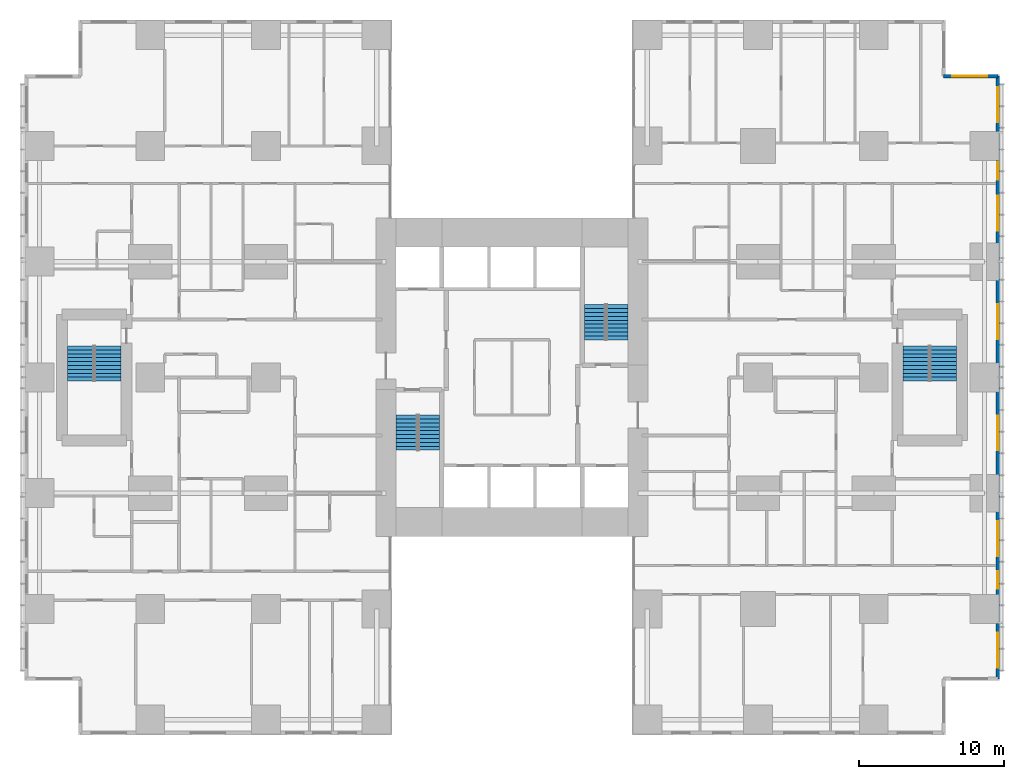
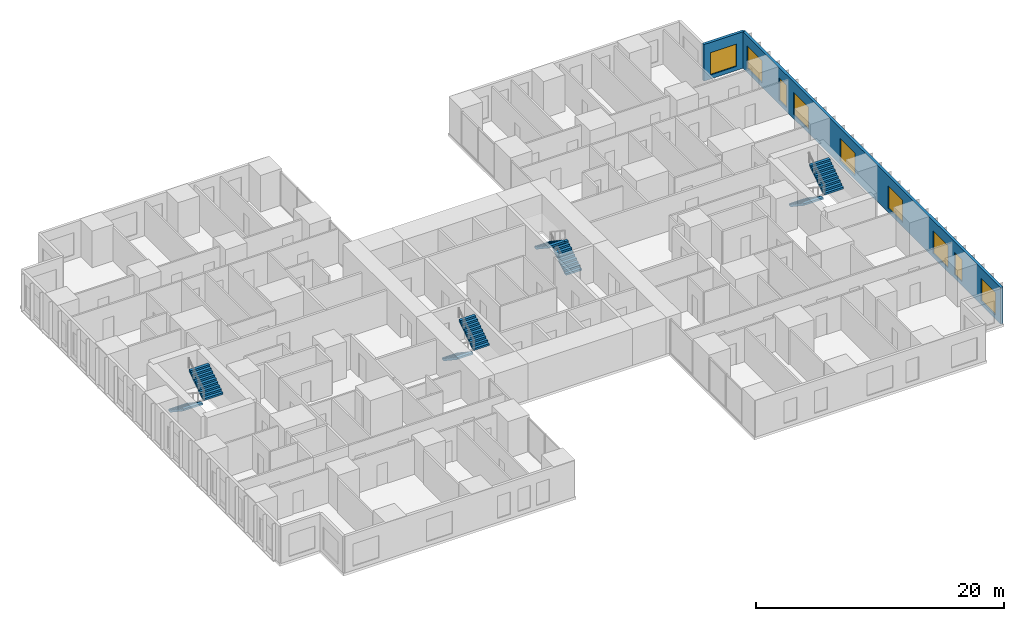
# One storey, part 19 of 20: 9 windows, 8 stair flights, 2 walls, 9 openings, 4 elements without a shape of their own.
"""IFC4 building model written with IfcOpenShell, lengths in metres."""

import ifcopenshell
import ifcopenshell.guid

model = None  # the IFC model being written
_history = None  # IfcOwnerHistory: only IFC2X3 demands one
_inside = {}  # id of a spatial element -> (the spatial element, [elements in it])
_under = {}  # id of a project, library or spatial element -> (it, [spatial elements below it])
_declared = {}  # id of a project -> (the project, [libraries it declares])
_typed = {}  # id of a type object -> (the type object, [elements of that type])
_made_of = {}  # id of a material, layer set ... -> (it, [elements and type objects made of it])


def new_model(schema):
    """Start an empty IFC model of exactly this schema.

    Asked for "IFC4X3", IfcOpenShell would pick the latest addendum, in which some entities
    have other attributes; the version numbers below select the first issue.
    IFC2X3 requires an IfcOwnerHistory on every rooted entity: one is made here for all.
    """
    global model, _history
    if schema == "IFC4X3":
        model = ifcopenshell.file(schema_version=(4, 3, 0, 0))
    else:
        model = ifcopenshell.file(schema=schema)
    _inside.clear()
    _under.clear()
    _declared.clear()
    _typed.clear()
    _made_of.clear()
    _history = None
    if model.schema == "IFC2X3":
        org = make("IfcOrganization", Name="unknown")
        user = make(
            "IfcPersonAndOrganization",
            ThePerson=make("IfcPerson", FamilyName="unknown"),
            TheOrganization=org,
        )
        app = make(
            "IfcApplication",
            ApplicationDeveloper=org,
            Version="unknown",
            ApplicationFullName="unknown",
            ApplicationIdentifier="unknown",
        )
        _history = make(
            "IfcOwnerHistory",
            OwningUser=user,
            OwningApplication=app,
            ChangeAction="ADDED",
            CreationDate=0,
        )
    return model


def make(cls, **values):
    """One entity of the class cls with the attributes given. An attribute that is None is left unset."""
    return model.create_entity(
        cls, **{name: value for name, value in values.items() if value is not None}
    )


def rooted(cls, **values):
    """An entity with a GlobalId (a new one), such as an element, a storey or a relation."""
    return make(cls, GlobalId=ifcopenshell.guid.new(), OwnerHistory=_history, **values)


def si_unit(unit_type, name, prefix=None):
    """IfcSIUnit, for example si_unit("LENGTHUNIT", "METRE", prefix="MILLI")."""
    return make("IfcSIUnit", UnitType=unit_type, Prefix=prefix, Name=name)


def assignment(units):
    """IfcUnitAssignment: the units of a project."""
    return None if units is None else make("IfcUnitAssignment", Units=units)


def point(xyz):
    """IfcCartesianPoint."""
    return None if xyz is None else make("IfcCartesianPoint", Coordinates=xyz)


def direction(xyz):
    """IfcDirection."""
    return None if xyz is None else make("IfcDirection", DirectionRatios=xyz)


def frame(location, z_axis=None, x_axis=None):
    """IfcAxis2Placement3D, a coordinate frame: its origin and axes. An axis left out is left unset."""
    return make(
        "IfcAxis2Placement3D",
        Location=point(location),
        Axis=direction(z_axis),
        RefDirection=direction(x_axis),
    )


def frame_2d(location, x_axis=None):
    """IfcAxis2Placement2D, a coordinate frame in the plane: its origin and x axis."""
    return make(
        "IfcAxis2Placement2D", Location=point(location), RefDirection=direction(x_axis)
    )


def origin():
    """The frame at (0, 0, 0) with its axes left unset."""
    return frame((0.0, 0.0, 0.0))


def place(relative_to, where):
    """IfcLocalPlacement: puts the frame where relative to a parent placement (None: the world)."""
    return make(
        "IfcLocalPlacement", PlacementRelTo=relative_to, RelativePlacement=where
    )


def context(
    kind, dimensions, precision=None, world=None, true_north=None, identifier=None
):
    """IfcGeometricRepresentationContext, for example the 3D "Model" context."""
    return make(
        "IfcGeometricRepresentationContext",
        ContextIdentifier=identifier,
        ContextType=kind,
        CoordinateSpaceDimension=dimensions,
        Precision=precision,
        WorldCoordinateSystem=world,
        TrueNorth=true_north,
    )


def subcontext(parent, identifier, kind, view, scale=None):
    """IfcGeometricRepresentationSubContext, for example "Body" below "Model"."""
    return make(
        "IfcGeometricRepresentationSubContext",
        ContextIdentifier=identifier,
        ContextType=kind,
        ParentContext=parent,
        TargetScale=scale,
        TargetView=view,
    )


def project(units=None, contexts=None):
    """IfcProject with its units and contexts."""
    return rooted(
        "IfcProject",
        Name="project",
        RepresentationContexts=contexts,
        UnitsInContext=assignment(units),
    )


def spatial(cls, under=None, at=None, **own):
    """A site, building, storey or space (cls), placed at a placement, below another one or the project."""
    s = rooted(cls, ObjectPlacement=at, **own)
    if under is not None:
        _under.setdefault(under.id(), (under, []))[1].append(s)
    return s


def polyline(points):
    """IfcPolyline through the points."""
    return make("IfcPolyline", Points=[point(p) for p in points])


def profile(cls, at=None, kind="AREA", **sizes):
    """A parametric profile (cls). Its sizes go by their IFC names, for example OverallWidth=200.0."""
    return make(cls, ProfileType=kind, Position=at, **sizes)


def rectangle(**sizes):
    """IfcRectangleProfileDef."""
    return profile("IfcRectangleProfileDef", **sizes)


def outline(outer, holes=None, kind="AREA"):
    """IfcArbitraryClosedProfileDef: a profile drawn as a closed curve; with holes, ...WithVoids."""
    if holes is None:
        return make("IfcArbitraryClosedProfileDef", ProfileType=kind, OuterCurve=outer)
    return make(
        "IfcArbitraryProfileDefWithVoids",
        ProfileType=kind,
        OuterCurve=outer,
        InnerCurves=holes,
    )


def extrude(swept, where, along, depth):
    """IfcExtrudedAreaSolid: the profile swept, set in the frame where, extruded along a direction by depth."""
    return make(
        "IfcExtrudedAreaSolid",
        SweptArea=swept,
        Position=where,
        ExtrudedDirection=direction(along),
        Depth=depth,
    )


def shape(context_of_items, identifier, shape_type, items):
    """IfcShapeRepresentation: the items that make up one representation, for example the "Body"."""
    return make(
        "IfcShapeRepresentation",
        ContextOfItems=context_of_items,
        RepresentationIdentifier=identifier,
        RepresentationType=shape_type,
        Items=items,
    )


def material(Name=None, Category=None):
    """IfcMaterial."""
    return make("IfcMaterial", Name=Name, Category=Category)


def layer(
    of_material, thickness, ventilated=None, Name=None, Category=None, Priority=None
):
    """IfcMaterialLayer: one layer of a wall or slab, of a material (None: an air gap)."""
    return make(
        "IfcMaterialLayer",
        Material=of_material,
        LayerThickness=thickness,
        IsVentilated=ventilated,
        Name=Name,
        Category=Category,
        Priority=Priority,
    )


def layer_set(layers, Name=None):
    """IfcMaterialLayerSet."""
    return make("IfcMaterialLayerSet", MaterialLayers=layers, LayerSetName=Name)


def made_of(thing, what):
    """Note that an element or type object is made of a material, layer set ...; save() writes the relation."""
    if what is not None:
        _made_of.setdefault(what.id(), (what, []))[1].append(thing)
    return thing


def type_object(cls, material=None, **own):
    """A type object (cls), such as IfcWallType, which elements share."""
    return made_of(rooted(cls, **own), material)


def element(
    cls,
    number,
    at=None,
    inside=None,
    cuts=None,
    type_object=None,
    material=None,
    context=None,
    identifier="Body",
    shape_type=None,
    held_by="IfcProductDefinitionShape",
    body=None,
    shapes=None,
    **own,
):
    """One element of the class cls, such as IfcWall. Its Tag is "e" and its number.

    at: its placement. inside: the storey or other place that contains it. cuts: it is an
    opening in that element (IfcRelVoidsElement). A single representation is given by context,
    identifier, shape_type and body (its items); several are given by shapes. held_by: the class
    of the entity that holds the representations. save() writes the other relations.
    """
    e = rooted(cls, Tag="e%d" % number, ObjectPlacement=at, **own)
    if body is not None:
        shapes = [shape(context, identifier, shape_type, body)]
    if shapes is not None:
        e.Representation = make(held_by, Representations=shapes)
    if inside is not None:
        _inside.setdefault(inside.id(), (inside, []))[1].append(e)
    if cuts is not None:
        rooted(
            "IfcRelVoidsElement", RelatingBuildingElement=cuts, RelatedOpeningElement=e
        )
    if type_object is not None:
        _typed.setdefault(type_object.id(), (type_object, []))[1].append(e)
    return made_of(e, material)


def fill(opening, filler):
    """IfcRelFillsElement: the door or window that sits in an opening."""
    return rooted(
        "IfcRelFillsElement",
        RelatingOpeningElement=opening,
        RelatedBuildingElement=filler,
    )


def aggregate(whole, parts):
    """IfcRelAggregates: a whole, such as a stair, and the parts it consists of."""
    return rooted("IfcRelAggregates", RelatingObject=whole, RelatedObjects=parts)


def save(model, path):
    """Write the relations noted so far, then the file.

    IfcRelAggregates (storeys below a building ...), IfcRelContainedInSpatialStructure (elements
    in a storey), IfcRelDefinesByType, IfcRelAssociatesMaterial and IfcRelDeclares: one each for
    every whole, place, type object, material and project.
    """
    for whole, parts in _under.values():
        aggregate(whole, parts)
    for where, things in _inside.values():
        rooted(
            "IfcRelContainedInSpatialStructure",
            RelatedElements=things,
            RelatingStructure=where,
        )
    for kind, things in _typed.values():
        rooted("IfcRelDefinesByType", RelatedObjects=things, RelatingType=kind)
    for what, things in _made_of.values():
        rooted("IfcRelAssociatesMaterial", RelatedObjects=things, RelatingMaterial=what)
    for by, libraries in _declared.values():
        rooted("IfcRelDeclares", RelatingContext=by, RelatedDefinitions=libraries)
    model.write(path)


model = new_model("IFC4")

# Units and contexts
model_context = context("Model", 3, precision=1e-05, world=origin(), true_north=direction((0.0, 1.0)))
body_context = subcontext(model_context, "Body", "Model", "MODEL_VIEW")
ifc_project = project(units=[si_unit("LENGTHUNIT", "METRE"), si_unit("AREAUNIT", "SQUARE_METRE"), si_unit("VOLUMEUNIT", "CUBIC_METRE"), si_unit("PLANEANGLEUNIT", "RADIAN"), si_unit("MASSUNIT", "GRAM", prefix="KILO")], contexts=[model_context])

# Site, building, storey
site_placement = place(None, origin())
site = spatial("IfcSite", under=ifc_project, at=site_placement, CompositionType="ELEMENT")
building_placement = place(site_placement, origin())
building = spatial("IfcBuilding", under=site, at=building_placement, Name="Cleftline Residences", CompositionType="ELEMENT")
storey_placement = place(building_placement, frame((0.0, 0.0, 153.800048828125)))
storey = spatial("IfcBuildingStorey", under=building, at=storey_placement, Name="L40", CompositionType="ELEMENT", Elevation=153.800048828125)

# Wall, openings, windows
ifc_material_1 = material(Name="Rendered reinforced concrete blockwork", Category="masonry")
ifc_layer = layer(ifc_material_1, 0.25)
ifc_layer_set = layer_set([ifc_layer], Name="EXTERNAL WALL 250")
wall_type = type_object("IfcWallType", Name="EXTERNAL WALL 250", PredefinedType="SOLIDWALL", material=ifc_layer_set)
wall_1_placement = place(storey_placement, frame((66.574951171875, 3.175048828125, 0.0), z_axis=(0.0, 0.0, 1.0), x_axis=(0.0, 1.0, 0.0)))
wall_1 = element("IfcWall", 1, at=wall_1_placement, inside=storey, type_object=wall_type, Name="External wall", PredefinedType="SOLIDWALL", context=body_context, shape_type="SweptSolid", body=[
    extrude(rectangle(XDim=41.64990234375, YDim=0.25, at=frame_2d((20.824951171875, 0.0))), origin(), (0.0, 0.0, 1.0), 3.599853515625),
])
opening_1_placement = place(wall_1_placement, frame((0.77490234375, 0.0, 0.39990234375)))
opening_1 = element("IfcOpeningElement", 2, at=opening_1_placement, cuts=wall_1, Name="Opening W12", PredefinedType="OPENING", context=body_context, shape_type="SweptSolid", body=[
    extrude(rectangle(XDim=2.39990234375, YDim=2.199951171875, at=frame_2d((1.199951171875, 1.10009765625))), frame((0.0, 0.135009765625, 0.0), z_axis=(0.0, -1.0, 0.0), x_axis=(1.0, 0.0, 0.0)), (0.0, 0.0, 1.0), 0.27001953125),
])
opening_2_placement = place(wall_1_placement, frame((6.22509765625, 0.0, 0.39990234375)))
opening_2 = element("IfcOpeningElement", 3, at=opening_2_placement, cuts=wall_1, Name="Opening W11", PredefinedType="OPENING", context=body_context, shape_type="SweptSolid", body=[
    extrude(rectangle(XDim=1.199951171875, YDim=2.199951171875, at=frame_2d((0.60009765625, 1.10009765625))), frame((0.0, 0.135009765625, 0.0), z_axis=(0.0, -1.0, 0.0), x_axis=(1.0, 0.0, 0.0)), (0.0, 0.0, 1.0), 0.27001953125),
])
opening_3_placement = place(wall_1_placement, frame((8.47509765625, 0.0, 0.39990234375)))
opening_3 = element("IfcOpeningElement", 4, at=opening_3_placement, cuts=wall_1, Name="Opening W12", PredefinedType="OPENING", context=body_context, shape_type="SweptSolid", body=[
    extrude(rectangle(XDim=2.39990234375, YDim=2.199951171875, at=frame_2d((1.199951171875, 1.10009765625))), frame((0.0, 0.135009765625, 0.0), z_axis=(0.0, -1.0, 0.0), x_axis=(1.0, 0.0, 0.0)), (0.0, 0.0, 1.0), 0.27001953125),
])
opening_4_placement = place(wall_1_placement, frame((15.77490234375, 0.0, 0.39990234375)))
opening_4 = element("IfcOpeningElement", 5, at=opening_4_placement, cuts=wall_1, Name="Opening W12", PredefinedType="OPENING", context=body_context, shape_type="SweptSolid", body=[
    extrude(rectangle(XDim=2.39990234375, YDim=2.199951171875, at=frame_2d((1.199951171875, 1.10009765625))), frame((0.0, 0.135009765625, 0.0), z_axis=(0.0, -1.0, 0.0), x_axis=(1.0, 0.0, 0.0)), (0.0, 0.0, 1.0), 0.27001953125),
])
opening_5_placement = place(wall_1_placement, frame((23.47509765625, 0.0, 0.39990234375)))
opening_5 = element("IfcOpeningElement", 6, at=opening_5_placement, cuts=wall_1, Name="Opening W12", PredefinedType="OPENING", context=body_context, shape_type="SweptSolid", body=[
    extrude(rectangle(XDim=2.39990234375, YDim=2.199951171875, at=frame_2d((1.199951171875, 1.10009765625))), frame((0.0, 0.135009765625, 0.0), z_axis=(0.0, -1.0, 0.0), x_axis=(1.0, 0.0, 0.0)), (0.0, 0.0, 1.0), 0.27001953125),
])
opening_6_placement = place(wall_1_placement, frame((30.97509765625, 0.0, 0.39990234375)))
opening_6 = element("IfcOpeningElement", 7, at=opening_6_placement, cuts=wall_1, Name="Opening W12", PredefinedType="OPENING", context=body_context, shape_type="SweptSolid", body=[
    extrude(rectangle(XDim=2.39990234375, YDim=2.199951171875, at=frame_2d((1.199951171875, 1.10009765625))), frame((0.0, 0.135009765625, 0.0), z_axis=(0.0, -1.0, 0.0), x_axis=(1.0, 0.0, 0.0)), (0.0, 0.0, 1.0), 0.27001953125),
])
opening_7_placement = place(wall_1_placement, frame((34.5, 0.0, 0.39990234375)))
opening_7 = element("IfcOpeningElement", 8, at=opening_7_placement, cuts=wall_1, Name="Opening W11", PredefinedType="OPENING", context=body_context, shape_type="SweptSolid", body=[
    extrude(rectangle(XDim=1.199951171875, YDim=2.199951171875, at=frame_2d((0.60009765625, 1.10009765625))), frame((0.0, 0.135009765625, 0.0), z_axis=(0.0, -1.0, 0.0), x_axis=(1.0, 0.0, 0.0)), (0.0, 0.0, 1.0), 0.27001953125),
])
opening_8_placement = place(wall_1_placement, frame((38.47509765625, 0.0, 0.39990234375)))
opening_8 = element("IfcOpeningElement", 9, at=opening_8_placement, cuts=wall_1, Name="Opening W12", PredefinedType="OPENING", context=body_context, shape_type="SweptSolid", body=[
    extrude(rectangle(XDim=2.39990234375, YDim=2.199951171875, at=frame_2d((1.199951171875, 1.10009765625))), frame((0.0, 0.135009765625, 0.0), z_axis=(0.0, -1.0, 0.0), x_axis=(1.0, 0.0, 0.0)), (0.0, 0.0, 1.0), 0.27001953125),
])
ifc_material_2 = material(Name="Aluminium frame, clear double glazing", Category="aluminium")
window_type_1 = type_object("IfcWindowType", Name="WINDOW 1200X2200", PartitioningType="DOUBLE_PANEL_VERTICAL", PredefinedType="WINDOW", material=ifc_material_2)
window_1_placement = place(opening_2_placement, origin())
window_1 = element("IfcWindow", 10, at=window_1_placement, inside=storey, type_object=window_type_1, Name="Window", OverallHeight=2.199951171875, OverallWidth=1.199951171875, PartitioningType="SINGLE_PANEL", PredefinedType="WINDOW", context=body_context, shape_type="SweptSolid", body=[
    extrude(rectangle(XDim=1.199951171875, YDim=2.199951171875, at=frame_2d((0.60009765625, 1.10009765625))), frame((0.0, 0.030029296875, 0.0), z_axis=(0.0, -1.0, 0.0), x_axis=(1.0, 0.0, 0.0)), (0.0, 0.0, 1.0), 0.06005859375),
])
fill(opening_2, window_1)
window_2_placement = place(opening_7_placement, origin())
window_2 = element("IfcWindow", 11, at=window_2_placement, inside=storey, type_object=window_type_1, Name="Window", OverallHeight=2.199951171875, OverallWidth=1.199951171875, PartitioningType="SINGLE_PANEL", PredefinedType="WINDOW", context=body_context, shape_type="SweptSolid", body=[
    extrude(rectangle(XDim=1.199951171875, YDim=2.199951171875, at=frame_2d((0.60009765625, 1.10009765625))), frame((0.0, 0.030029296875, 0.0), z_axis=(0.0, -1.0, 0.0), x_axis=(1.0, 0.0, 0.0)), (0.0, 0.0, 1.0), 0.06005859375),
])
fill(opening_7, window_2)
ifc_material_3 = material(Name="Aluminium frame, clear double glazing", Category="aluminium")
window_type_2 = type_object("IfcWindowType", Name="WINDOW 2400X2200", PartitioningType="DOUBLE_PANEL_VERTICAL", PredefinedType="WINDOW", material=ifc_material_3)
window_3_placement = place(opening_1_placement, origin())
window_3 = element("IfcWindow", 12, at=window_3_placement, inside=storey, type_object=window_type_2, Name="Window", OverallHeight=2.199951171875, OverallWidth=2.39990234375, PartitioningType="SINGLE_PANEL", PredefinedType="WINDOW", context=body_context, shape_type="SweptSolid", body=[
    extrude(rectangle(XDim=2.39990234375, YDim=2.199951171875, at=frame_2d((1.199951171875, 1.10009765625))), frame((0.0, 0.030029296875, 0.0), z_axis=(0.0, -1.0, 0.0), x_axis=(1.0, 0.0, 0.0)), (0.0, 0.0, 1.0), 0.06005859375),
])
fill(opening_1, window_3)
window_4_placement = place(opening_3_placement, origin())
window_4 = element("IfcWindow", 13, at=window_4_placement, inside=storey, type_object=window_type_2, Name="Window", OverallHeight=2.199951171875, OverallWidth=2.39990234375, PartitioningType="SINGLE_PANEL", PredefinedType="WINDOW", context=body_context, shape_type="SweptSolid", body=[
    extrude(rectangle(XDim=2.39990234375, YDim=2.199951171875, at=frame_2d((1.199951171875, 1.10009765625))), frame((0.0, 0.030029296875, 0.0), z_axis=(0.0, -1.0, 0.0), x_axis=(1.0, 0.0, 0.0)), (0.0, 0.0, 1.0), 0.06005859375),
])
fill(opening_3, window_4)
window_5_placement = place(opening_4_placement, origin())
window_5 = element("IfcWindow", 14, at=window_5_placement, inside=storey, type_object=window_type_2, Name="Window", OverallHeight=2.199951171875, OverallWidth=2.39990234375, PartitioningType="SINGLE_PANEL", PredefinedType="WINDOW", context=body_context, shape_type="SweptSolid", body=[
    extrude(rectangle(XDim=2.39990234375, YDim=2.199951171875, at=frame_2d((1.199951171875, 1.10009765625))), frame((0.0, 0.030029296875, 0.0), z_axis=(0.0, -1.0, 0.0), x_axis=(1.0, 0.0, 0.0)), (0.0, 0.0, 1.0), 0.06005859375),
])
fill(opening_4, window_5)
window_6_placement = place(opening_5_placement, origin())
window_6 = element("IfcWindow", 15, at=window_6_placement, inside=storey, type_object=window_type_2, Name="Window", OverallHeight=2.199951171875, OverallWidth=2.39990234375, PartitioningType="SINGLE_PANEL", PredefinedType="WINDOW", context=body_context, shape_type="SweptSolid", body=[
    extrude(rectangle(XDim=2.39990234375, YDim=2.199951171875, at=frame_2d((1.199951171875, 1.10009765625))), frame((0.0, 0.030029296875, 0.0), z_axis=(0.0, -1.0, 0.0), x_axis=(1.0, 0.0, 0.0)), (0.0, 0.0, 1.0), 0.06005859375),
])
fill(opening_5, window_6)
window_7_placement = place(opening_6_placement, origin())
window_7 = element("IfcWindow", 16, at=window_7_placement, inside=storey, type_object=window_type_2, Name="Window", OverallHeight=2.199951171875, OverallWidth=2.39990234375, PartitioningType="SINGLE_PANEL", PredefinedType="WINDOW", context=body_context, shape_type="SweptSolid", body=[
    extrude(rectangle(XDim=2.39990234375, YDim=2.199951171875, at=frame_2d((1.199951171875, 1.10009765625))), frame((0.0, 0.030029296875, 0.0), z_axis=(0.0, -1.0, 0.0), x_axis=(1.0, 0.0, 0.0)), (0.0, 0.0, 1.0), 0.06005859375),
])
fill(opening_6, window_7)
window_8_placement = place(opening_8_placement, origin())
window_8 = element("IfcWindow", 17, at=window_8_placement, inside=storey, type_object=window_type_2, Name="Window", OverallHeight=2.199951171875, OverallWidth=2.39990234375, PartitioningType="SINGLE_PANEL", PredefinedType="WINDOW", context=body_context, shape_type="SweptSolid", body=[
    extrude(rectangle(XDim=2.39990234375, YDim=2.199951171875, at=frame_2d((1.199951171875, 1.10009765625))), frame((0.0, 0.030029296875, 0.0), z_axis=(0.0, -1.0, 0.0), x_axis=(1.0, 0.0, 0.0)), (0.0, 0.0, 1.0), 0.06005859375),
])
fill(opening_8, window_8)

# Wall, opening, window
wall_2_placement = place(storey_placement, frame((66.574951171875, 44.824951171875, 0.0), z_axis=(0.0, 0.0, 1.0), x_axis=(-1.0, 0.0, 0.0)))
wall_2 = element("IfcWall", 18, at=wall_2_placement, inside=storey, type_object=wall_type, Name="External wall", PredefinedType="SOLIDWALL", context=body_context, shape_type="SweptSolid", body=[
    extrude(rectangle(XDim=3.75, YDim=0.25, at=frame_2d((1.875, 0.0))), origin(), (0.0, 0.0, 1.0), 3.599853515625),
])
opening_9_placement = place(wall_2_placement, frame((0.737548828125, 0.0, 0.39990234375)))
opening_9 = element("IfcOpeningElement", 19, at=opening_9_placement, cuts=wall_2, Name="Opening W12", PredefinedType="OPENING", context=body_context, shape_type="SweptSolid", body=[
    extrude(rectangle(XDim=2.39990234375, YDim=2.199951171875, at=frame_2d((1.199951171875, 1.10009765625))), frame((0.0, 0.135009765625, 0.0), z_axis=(0.0, -1.0, 0.0), x_axis=(1.0, 0.0, 0.0)), (0.0, 0.0, 1.0), 0.27001953125),
])
window_9_placement = place(opening_9_placement, origin())
window_9 = element("IfcWindow", 20, at=window_9_placement, inside=storey, type_object=window_type_2, Name="Window", OverallHeight=2.199951171875, OverallWidth=2.39990234375, PartitioningType="SINGLE_PANEL", PredefinedType="WINDOW", context=body_context, shape_type="SweptSolid", body=[
    extrude(rectangle(XDim=2.39990234375, YDim=2.199951171875, at=frame_2d((1.199951171875, 1.10009765625))), frame((0.0, 0.030029296875, 0.0), z_axis=(0.0, -1.0, 0.0), x_axis=(1.0, 0.0, 0.0)), (0.0, 0.0, 1.0), 0.06005859375),
])
fill(opening_9, window_9)

# Stair, stair flights
ifc_material_4 = material(Name="Concrete B45, stone treads", Category="masonry")
stair_type_1 = type_object("IfcStairType", Name="STAIR A 1450 WIDE 180 RISER", PredefinedType="HALF_TURN_STAIR", material=ifc_material_4)
stair_1_placement = place(storey_placement, origin())
stair_1 = element("IfcStair", 21, at=stair_1_placement, inside=storey, type_object=stair_type_1, Name="Stair A L40", PredefinedType="HALF_TURN_STAIR")
ifc_material_5 = material(Name="Concrete B45", Category="concrete")
stair_flight_type_1 = type_object("IfcStairFlightType", Name="STAIR A FLIGHT 1450X180", PredefinedType="STRAIGHT", material=ifc_material_5)
stair_flight_1_placement = place(storey_placement, frame((25.72509765625, 21.39990234375, 0.0), z_axis=(0.0, 0.0, 1.0), x_axis=(0.0, -1.0, 0.0)))
stair_flight_1 = element("IfcStairFlight", 22, at=stair_flight_1_placement, type_object=stair_flight_type_1, Name="ST-A flight 1", NumberOfRisers=10, NumberOfTreads=9, PredefinedType="STRAIGHT", RiserHeight=0.18, TreadLength=0.27, context=body_context, shape_type="SweptSolid", body=[
    extrude(outline(polyline([(0.0, 0.0), (0.0, 0.013916015625), (0.0, 0.027587890625), (0.0, 0.04150390625), (0.0, 0.055419921875), (0.0, 0.0693359375), (0.0, 0.0830078125), (0.0, 0.096923828125), (0.0, 0.11083984375), (0.0, 0.12451171875), (0.0, 0.138427734375), (0.0, 0.15234375), (0.0, 0.166259765625), (0.0, 0.179931640625), (0.27001953125, 0.179931640625), (0.27001953125, 0.360107421875), (0.5400390625, 0.360107421875), (0.5400390625, 0.5400390625), (0.81005859375, 0.5400390625), (0.81005859375, 0.719970703125), (1.080078125, 0.719970703125), (1.080078125, 0.89990234375), (1.35009765625, 0.89990234375), (1.35009765625, 1.080078125), (1.6201171875, 1.080078125), (1.6201171875, 1.260009765625), (1.889892578125, 1.260009765625), (1.889892578125, 1.43994140625), (2.159912109375, 1.43994140625), (2.159912109375, 1.6201171875), (2.429931640625, 1.6201171875), (2.429931640625, 1.800048828125), (2.429931640625, 1.772216796875), (2.429931640625, 1.74462890625), (2.429931640625, 1.716796875), (2.429931640625, 1.689208984375), (2.429931640625, 1.661376953125), (2.429931640625, 1.6337890625), (2.429931640625, 1.60595703125), (2.429931640625, 1.578369140625), (2.429931640625, 1.550537109375), (2.429931640625, 1.52294921875), (2.429931640625, 1.495361328125), (2.429931640625, 1.467529296875), (2.429931640625, 1.43994140625), (0.270263671875, 0.0), (0.0, 0.0)])), frame((0.0, 0.72509765625, 0.0), z_axis=(0.0, -1.0, 0.0), x_axis=(1.0, 0.0, 0.0)), (0.0, 0.0, 1.0), 1.449951171875),
])
stair_flight_2_placement = place(storey_placement, frame((27.27490234375, 18.969970703125, 1.800048828125), z_axis=(0.0, 0.0, 1.0), x_axis=(0.0, 1.0, 0.0)))
stair_flight_2 = element("IfcStairFlight", 23, at=stair_flight_2_placement, type_object=stair_flight_type_1, Name="ST-A flight 2", NumberOfRisers=10, NumberOfTreads=9, PredefinedType="STRAIGHT", RiserHeight=0.18, TreadLength=0.27, context=body_context, shape_type="SweptSolid", body=[
    extrude(outline(polyline([(0.0, 0.0), (0.0, 0.013916015625), (0.0, 0.027587890625), (0.0, 0.04150390625), (0.0, 0.055419921875), (0.0, 0.0693359375), (0.0, 0.0830078125), (0.0, 0.096923828125), (0.0, 0.11083984375), (0.0, 0.12451171875), (0.0, 0.138427734375), (0.0, 0.15234375), (0.0, 0.166259765625), (0.0, 0.179931640625), (0.27001953125, 0.179931640625), (0.27001953125, 0.360107421875), (0.5400390625, 0.360107421875), (0.5400390625, 0.5400390625), (0.81005859375, 0.5400390625), (0.81005859375, 0.719970703125), (1.080078125, 0.719970703125), (1.080078125, 0.89990234375), (1.35009765625, 0.89990234375), (1.35009765625, 1.080078125), (1.6201171875, 1.080078125), (1.6201171875, 1.260009765625), (1.889892578125, 1.260009765625), (1.889892578125, 1.43994140625), (2.159912109375, 1.43994140625), (2.159912109375, 1.6201171875), (2.429931640625, 1.6201171875), (2.429931640625, 1.800048828125), (2.429931640625, 1.772216796875), (2.429931640625, 1.74462890625), (2.429931640625, 1.716796875), (2.429931640625, 1.689208984375), (2.429931640625, 1.661376953125), (2.429931640625, 1.6337890625), (2.429931640625, 1.60595703125), (2.429931640625, 1.578369140625), (2.429931640625, 1.550537109375), (2.429931640625, 1.52294921875), (2.429931640625, 1.495361328125), (2.429931640625, 1.467529296875), (2.429931640625, 1.43994140625), (0.270263671875, 0.0), (0.0, 0.0)])), frame((0.0, 0.72509765625, 0.0), z_axis=(0.0, -1.0, 0.0), x_axis=(1.0, 0.0, 0.0)), (0.0, 0.0, 1.0), 1.449951171875),
])
aggregate(stair_1, [stair_flight_1, stair_flight_2])

ifc_material_6 = material(Name="Concrete B45, stone treads", Category="masonry")
stair_type_2 = type_object("IfcStairType", Name="STAIR B 1450 WIDE 180 RISER", PredefinedType="HALF_TURN_STAIR", material=ifc_material_6)
stair_2_placement = place(storey_placement, origin())
stair_2 = element("IfcStair", 24, at=stair_2_placement, inside=storey, type_object=stair_type_2, Name="Stair B L40", PredefinedType="HALF_TURN_STAIR")
ifc_material_7 = material(Name="Concrete B45", Category="concrete")
stair_flight_type_2 = type_object("IfcStairFlightType", Name="STAIR B FLIGHT 1450X180", PredefinedType="STRAIGHT", material=ifc_material_7)
stair_flight_3_placement = place(storey_placement, frame((40.27490234375, 26.60009765625, 0.0), z_axis=(0.0, 0.0, 1.0), x_axis=(0.0, 1.0, 0.0)))
stair_flight_3 = element("IfcStairFlight", 25, at=stair_flight_3_placement, type_object=stair_flight_type_2, Name="ST-B flight 1", NumberOfRisers=10, NumberOfTreads=9, PredefinedType="STRAIGHT", RiserHeight=0.18, TreadLength=0.27, context=body_context, shape_type="SweptSolid", body=[
    extrude(outline(polyline([(0.0, 0.0), (0.0, 0.013916015625), (0.0, 0.027587890625), (0.0, 0.04150390625), (0.0, 0.055419921875), (0.0, 0.0693359375), (0.0, 0.0830078125), (0.0, 0.096923828125), (0.0, 0.11083984375), (0.0, 0.12451171875), (0.0, 0.138427734375), (0.0, 0.15234375), (0.0, 0.166259765625), (0.0, 0.179931640625), (0.27001953125, 0.179931640625), (0.27001953125, 0.360107421875), (0.5400390625, 0.360107421875), (0.5400390625, 0.5400390625), (0.81005859375, 0.5400390625), (0.81005859375, 0.719970703125), (1.080078125, 0.719970703125), (1.080078125, 0.89990234375), (1.35009765625, 0.89990234375), (1.35009765625, 1.080078125), (1.6201171875, 1.080078125), (1.6201171875, 1.260009765625), (1.889892578125, 1.260009765625), (1.889892578125, 1.43994140625), (2.159912109375, 1.43994140625), (2.159912109375, 1.6201171875), (2.429931640625, 1.6201171875), (2.429931640625, 1.800048828125), (2.429931640625, 1.772216796875), (2.429931640625, 1.74462890625), (2.429931640625, 1.716796875), (2.429931640625, 1.689208984375), (2.429931640625, 1.661376953125), (2.429931640625, 1.6337890625), (2.429931640625, 1.60595703125), (2.429931640625, 1.578369140625), (2.429931640625, 1.550537109375), (2.429931640625, 1.52294921875), (2.429931640625, 1.495361328125), (2.429931640625, 1.467529296875), (2.429931640625, 1.43994140625), (0.270263671875, 0.0), (0.0, 0.0)])), frame((0.0, 0.72509765625, 0.0), z_axis=(0.0, -1.0, 0.0), x_axis=(1.0, 0.0, 0.0)), (0.0, 0.0, 1.0), 1.449951171875),
])
stair_flight_4_placement = place(storey_placement, frame((38.72509765625, 29.030029296875, 1.800048828125), z_axis=(0.0, 0.0, 1.0), x_axis=(0.0, -1.0, 0.0)))
stair_flight_4 = element("IfcStairFlight", 26, at=stair_flight_4_placement, type_object=stair_flight_type_2, Name="ST-B flight 2", NumberOfRisers=10, NumberOfTreads=9, PredefinedType="STRAIGHT", RiserHeight=0.18, TreadLength=0.27, context=body_context, shape_type="SweptSolid", body=[
    extrude(outline(polyline([(0.0, 0.0), (0.0, 0.013916015625), (0.0, 0.027587890625), (0.0, 0.04150390625), (0.0, 0.055419921875), (0.0, 0.0693359375), (0.0, 0.0830078125), (0.0, 0.096923828125), (0.0, 0.11083984375), (0.0, 0.12451171875), (0.0, 0.138427734375), (0.0, 0.15234375), (0.0, 0.166259765625), (0.0, 0.179931640625), (0.27001953125, 0.179931640625), (0.27001953125, 0.360107421875), (0.5400390625, 0.360107421875), (0.5400390625, 0.5400390625), (0.81005859375, 0.5400390625), (0.81005859375, 0.719970703125), (1.080078125, 0.719970703125), (1.080078125, 0.89990234375), (1.35009765625, 0.89990234375), (1.35009765625, 1.080078125), (1.6201171875, 1.080078125), (1.6201171875, 1.260009765625), (1.889892578125, 1.260009765625), (1.889892578125, 1.43994140625), (2.159912109375, 1.43994140625), (2.159912109375, 1.6201171875), (2.429931640625, 1.6201171875), (2.429931640625, 1.800048828125), (2.429931640625, 1.772216796875), (2.429931640625, 1.74462890625), (2.429931640625, 1.716796875), (2.429931640625, 1.689208984375), (2.429931640625, 1.661376953125), (2.429931640625, 1.6337890625), (2.429931640625, 1.60595703125), (2.429931640625, 1.578369140625), (2.429931640625, 1.550537109375), (2.429931640625, 1.52294921875), (2.429931640625, 1.495361328125), (2.429931640625, 1.467529296875), (2.429931640625, 1.43994140625), (0.270263671875, 0.0), (0.0, 0.0)])), frame((0.0, 0.72509765625, 0.0), z_axis=(0.0, -1.0, 0.0), x_axis=(1.0, 0.0, 0.0)), (0.0, 0.0, 1.0), 1.449951171875),
])
aggregate(stair_2, [stair_flight_3, stair_flight_4])

ifc_material_8 = material(Name="Concrete B45, stone treads", Category="masonry")
stair_type_3 = type_object("IfcStairType", Name="STAIR E 1800 WIDE 180 RISER", PredefinedType="HALF_TURN_STAIR", material=ifc_material_8)
stair_3_placement = place(storey_placement, origin())
stair_3 = element("IfcStair", 27, at=stair_3_placement, inside=storey, type_object=stair_type_3, Name="Stair E L40", PredefinedType="HALF_TURN_STAIR")
ifc_material_9 = material(Name="Concrete B45", Category="concrete")
stair_flight_type_3 = type_object("IfcStairFlightType", Name="STAIR E FLIGHT 1800X180", PredefinedType="STRAIGHT", material=ifc_material_9)
stair_flight_5_placement = place(storey_placement, frame((60.925048828125, 26.175048828125, 0.0), z_axis=(0.0, 0.0, 1.0), x_axis=(0.0, -1.0, 0.0)))
stair_flight_5 = element("IfcStairFlight", 28, at=stair_flight_5_placement, type_object=stair_flight_type_3, Name="ST-E flight 1", NumberOfRisers=10, NumberOfTreads=9, PredefinedType="STRAIGHT", RiserHeight=0.18, TreadLength=0.27, context=body_context, shape_type="SweptSolid", body=[
    extrude(outline(polyline([(0.0, 0.0), (0.0, 0.013916015625), (0.0, 0.027587890625), (0.0, 0.04150390625), (0.0, 0.055419921875), (0.0, 0.0693359375), (0.0, 0.0830078125), (0.0, 0.096923828125), (0.0, 0.11083984375), (0.0, 0.12451171875), (0.0, 0.138427734375), (0.0, 0.15234375), (0.0, 0.166259765625), (0.0, 0.179931640625), (0.27001953125, 0.179931640625), (0.27001953125, 0.360107421875), (0.5400390625, 0.360107421875), (0.5400390625, 0.5400390625), (0.81005859375, 0.5400390625), (0.81005859375, 0.719970703125), (1.080078125, 0.719970703125), (1.080078125, 0.89990234375), (1.35009765625, 0.89990234375), (1.35009765625, 1.080078125), (1.6201171875, 1.080078125), (1.6201171875, 1.260009765625), (1.889892578125, 1.260009765625), (1.889892578125, 1.43994140625), (2.159912109375, 1.43994140625), (2.159912109375, 1.6201171875), (2.429931640625, 1.6201171875), (2.429931640625, 1.800048828125), (2.429931640625, 1.772216796875), (2.429931640625, 1.74462890625), (2.429931640625, 1.716796875), (2.429931640625, 1.689208984375), (2.429931640625, 1.661376953125), (2.429931640625, 1.6337890625), (2.429931640625, 1.60595703125), (2.429931640625, 1.578369140625), (2.429931640625, 1.550537109375), (2.429931640625, 1.52294921875), (2.429931640625, 1.495361328125), (2.429931640625, 1.467529296875), (2.429931640625, 1.43994140625), (0.270263671875, 0.0), (0.0, 0.0)])), frame((0.0, 0.89990234375, 0.0), z_axis=(0.0, -1.0, 0.0), x_axis=(1.0, 0.0, 0.0)), (0.0, 0.0, 1.0), 1.800048828125),
])
stair_flight_6_placement = place(storey_placement, frame((62.824951171875, 23.7451171875, 1.800048828125), z_axis=(0.0, 0.0, 1.0), x_axis=(0.0, 1.0, 0.0)))
stair_flight_6 = element("IfcStairFlight", 29, at=stair_flight_6_placement, type_object=stair_flight_type_3, Name="ST-E flight 2", NumberOfRisers=10, NumberOfTreads=9, PredefinedType="STRAIGHT", RiserHeight=0.18, TreadLength=0.27, context=body_context, shape_type="SweptSolid", body=[
    extrude(outline(polyline([(0.0, 0.0), (0.0, 0.013916015625), (0.0, 0.027587890625), (0.0, 0.04150390625), (0.0, 0.055419921875), (0.0, 0.0693359375), (0.0, 0.0830078125), (0.0, 0.096923828125), (0.0, 0.11083984375), (0.0, 0.12451171875), (0.0, 0.138427734375), (0.0, 0.15234375), (0.0, 0.166259765625), (0.0, 0.179931640625), (0.27001953125, 0.179931640625), (0.27001953125, 0.360107421875), (0.5400390625, 0.360107421875), (0.5400390625, 0.5400390625), (0.81005859375, 0.5400390625), (0.81005859375, 0.719970703125), (1.080078125, 0.719970703125), (1.080078125, 0.89990234375), (1.35009765625, 0.89990234375), (1.35009765625, 1.080078125), (1.6201171875, 1.080078125), (1.6201171875, 1.260009765625), (1.889892578125, 1.260009765625), (1.889892578125, 1.43994140625), (2.159912109375, 1.43994140625), (2.159912109375, 1.6201171875), (2.429931640625, 1.6201171875), (2.429931640625, 1.800048828125), (2.429931640625, 1.772216796875), (2.429931640625, 1.74462890625), (2.429931640625, 1.716796875), (2.429931640625, 1.689208984375), (2.429931640625, 1.661376953125), (2.429931640625, 1.6337890625), (2.429931640625, 1.60595703125), (2.429931640625, 1.578369140625), (2.429931640625, 1.550537109375), (2.429931640625, 1.52294921875), (2.429931640625, 1.495361328125), (2.429931640625, 1.467529296875), (2.429931640625, 1.43994140625), (0.270263671875, 0.0), (0.0, 0.0)])), frame((0.0, 0.89990234375, 0.0), z_axis=(0.0, -1.0, 0.0), x_axis=(1.0, 0.0, 0.0)), (0.0, 0.0, 1.0), 1.800048828125),
])
aggregate(stair_3, [stair_flight_5, stair_flight_6])

ifc_material_10 = material(Name="Concrete B45, stone treads", Category="masonry")
stair_type_4 = type_object("IfcStairType", Name="STAIR W 1800 WIDE 180 RISER", PredefinedType="HALF_TURN_STAIR", material=ifc_material_10)
stair_4_placement = place(storey_placement, origin())
stair_4 = element("IfcStair", 30, at=stair_4_placement, inside=storey, type_object=stair_type_4, Name="Stair W L40", PredefinedType="HALF_TURN_STAIR")
ifc_material_11 = material(Name="Concrete B45", Category="concrete")
stair_flight_type_4 = type_object("IfcStairFlightType", Name="STAIR W FLIGHT 1800X180", PredefinedType="STRAIGHT", material=ifc_material_11)
stair_flight_7_placement = place(storey_placement, frame((3.175048828125, 26.175048828125, 0.0), z_axis=(0.0, 0.0, 1.0), x_axis=(0.0, -1.0, 0.0)))
stair_flight_7 = element("IfcStairFlight", 31, at=stair_flight_7_placement, type_object=stair_flight_type_4, Name="ST-W flight 1", NumberOfRisers=10, NumberOfTreads=9, PredefinedType="STRAIGHT", RiserHeight=0.18, TreadLength=0.27, context=body_context, shape_type="SweptSolid", body=[
    extrude(outline(polyline([(0.0, 0.0), (0.0, 0.013916015625), (0.0, 0.027587890625), (0.0, 0.04150390625), (0.0, 0.055419921875), (0.0, 0.0693359375), (0.0, 0.0830078125), (0.0, 0.096923828125), (0.0, 0.11083984375), (0.0, 0.12451171875), (0.0, 0.138427734375), (0.0, 0.15234375), (0.0, 0.166259765625), (0.0, 0.179931640625), (0.27001953125, 0.179931640625), (0.27001953125, 0.360107421875), (0.5400390625, 0.360107421875), (0.5400390625, 0.5400390625), (0.81005859375, 0.5400390625), (0.81005859375, 0.719970703125), (1.080078125, 0.719970703125), (1.080078125, 0.89990234375), (1.35009765625, 0.89990234375), (1.35009765625, 1.080078125), (1.6201171875, 1.080078125), (1.6201171875, 1.260009765625), (1.889892578125, 1.260009765625), (1.889892578125, 1.43994140625), (2.159912109375, 1.43994140625), (2.159912109375, 1.6201171875), (2.429931640625, 1.6201171875), (2.429931640625, 1.800048828125), (2.429931640625, 1.772216796875), (2.429931640625, 1.74462890625), (2.429931640625, 1.716796875), (2.429931640625, 1.689208984375), (2.429931640625, 1.661376953125), (2.429931640625, 1.6337890625), (2.429931640625, 1.60595703125), (2.429931640625, 1.578369140625), (2.429931640625, 1.550537109375), (2.429931640625, 1.52294921875), (2.429931640625, 1.495361328125), (2.429931640625, 1.467529296875), (2.429931640625, 1.43994140625), (0.270263671875, 0.0), (0.0, 0.0)])), frame((0.0, 0.89990234375, 0.0), z_axis=(0.0, -1.0, 0.0), x_axis=(1.0, 0.0, 0.0)), (0.0, 0.0, 1.0), 1.800048828125),
])
stair_flight_8_placement = place(storey_placement, frame((5.074951171875, 23.7451171875, 1.800048828125), z_axis=(0.0, 0.0, 1.0), x_axis=(0.0, 1.0, 0.0)))
stair_flight_8 = element("IfcStairFlight", 32, at=stair_flight_8_placement, type_object=stair_flight_type_4, Name="ST-W flight 2", NumberOfRisers=10, NumberOfTreads=9, PredefinedType="STRAIGHT", RiserHeight=0.18, TreadLength=0.27, context=body_context, shape_type="SweptSolid", body=[
    extrude(outline(polyline([(0.0, 0.0), (0.0, 0.013916015625), (0.0, 0.027587890625), (0.0, 0.04150390625), (0.0, 0.055419921875), (0.0, 0.0693359375), (0.0, 0.0830078125), (0.0, 0.096923828125), (0.0, 0.11083984375), (0.0, 0.12451171875), (0.0, 0.138427734375), (0.0, 0.15234375), (0.0, 0.166259765625), (0.0, 0.179931640625), (0.27001953125, 0.179931640625), (0.27001953125, 0.360107421875), (0.5400390625, 0.360107421875), (0.5400390625, 0.5400390625), (0.81005859375, 0.5400390625), (0.81005859375, 0.719970703125), (1.080078125, 0.719970703125), (1.080078125, 0.89990234375), (1.35009765625, 0.89990234375), (1.35009765625, 1.080078125), (1.6201171875, 1.080078125), (1.6201171875, 1.260009765625), (1.889892578125, 1.260009765625), (1.889892578125, 1.43994140625), (2.159912109375, 1.43994140625), (2.159912109375, 1.6201171875), (2.429931640625, 1.6201171875), (2.429931640625, 1.800048828125), (2.429931640625, 1.772216796875), (2.429931640625, 1.74462890625), (2.429931640625, 1.716796875), (2.429931640625, 1.689208984375), (2.429931640625, 1.661376953125), (2.429931640625, 1.6337890625), (2.429931640625, 1.60595703125), (2.429931640625, 1.578369140625), (2.429931640625, 1.550537109375), (2.429931640625, 1.52294921875), (2.429931640625, 1.495361328125), (2.429931640625, 1.467529296875), (2.429931640625, 1.43994140625), (0.270263671875, 0.0), (0.0, 0.0)])), frame((0.0, 0.89990234375, 0.0), z_axis=(0.0, -1.0, 0.0), x_axis=(1.0, 0.0, 0.0)), (0.0, 0.0, 1.0), 1.800048828125),
])
aggregate(stair_4, [stair_flight_7, stair_flight_8])

save(model, "model.ifc")
